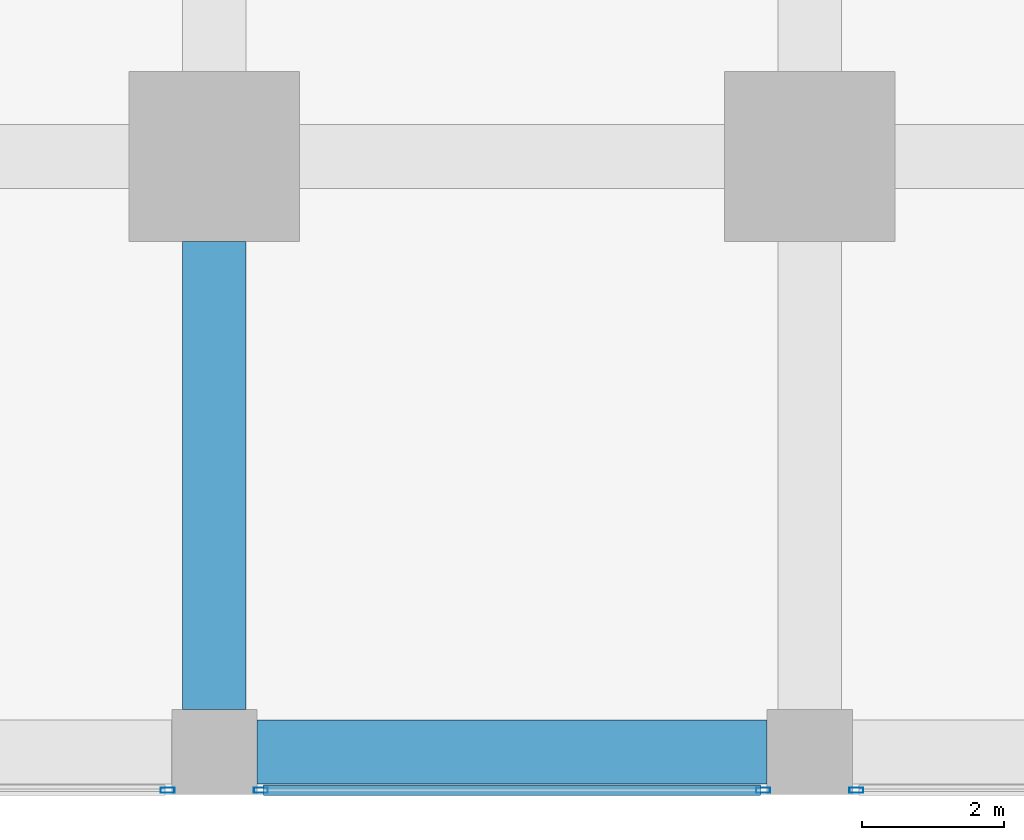
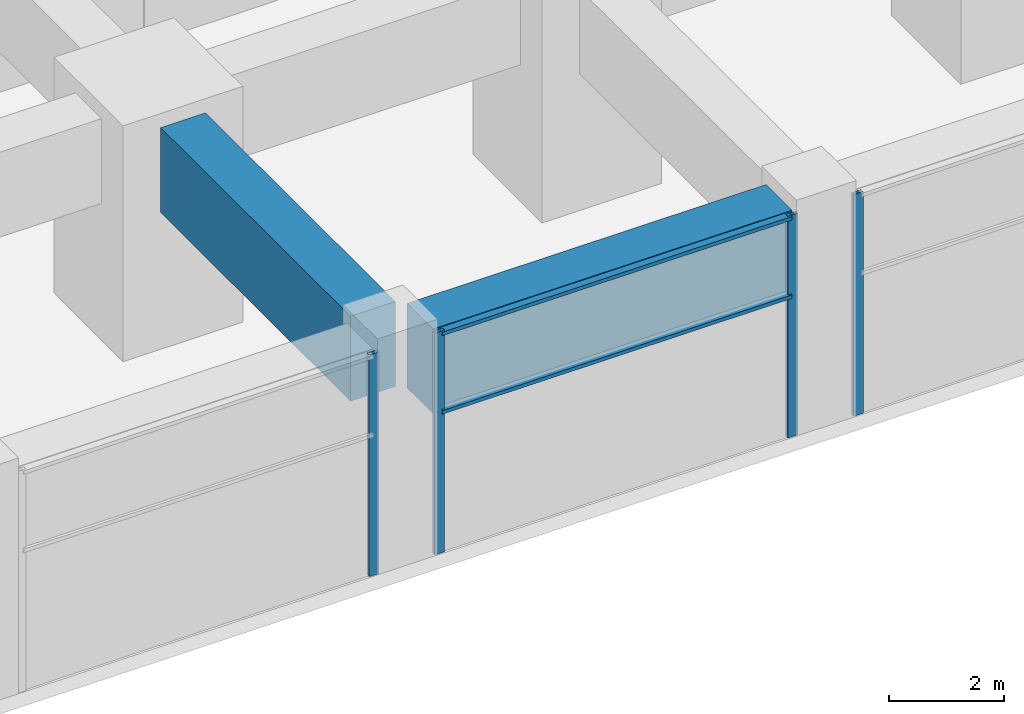
# One storey, part 13 of 49: 6 members, 2 beams, 3 elements without a shape of their own.
"""IFC4 building model written with IfcOpenShell, lengths in metres."""

from ifc_helpers import new_model, si_unit, direction, frame, origin, origin_2d, place, context, subcontext, project, spatial, rectangle, hollow_rectangle, extrude, material, material_profile, profile_set, type_object, element, aggregate, save


model = new_model("IFC4")

# Units and contexts
model_context = context("Model", 3, precision=1e-05, world=origin(), true_north=direction((0.0, 1.0)))
body_context = subcontext(model_context, "Body", "Model", "MODEL_VIEW")
ifc_project = project(units=[si_unit("LENGTHUNIT", "METRE"), si_unit("AREAUNIT", "SQUARE_METRE"), si_unit("VOLUMEUNIT", "CUBIC_METRE"), si_unit("PLANEANGLEUNIT", "RADIAN"), si_unit("MASSUNIT", "GRAM", prefix="KILO")], contexts=[model_context])

# Site, building, storey
site_placement = place(None, origin())
site = spatial("IfcSite", under=ifc_project, at=site_placement, CompositionType="ELEMENT")
building_placement = place(site_placement, origin())
building = spatial("IfcBuilding", under=site, at=building_placement, Name="Rekha Terrace Tower", CompositionType="ELEMENT")
storey_placement = place(building_placement, frame((0.0, 0.0, 5.39990234375)))
storey = spatial("IfcBuildingStorey", under=building, at=storey_placement, Name="L01", CompositionType="ELEMENT", Elevation=5.39990234375)

# Curtain wall, member
ifc_material_1 = material(Name="Aluminium framing", Category="aluminium")
curtain_wall_type = type_object("IfcCurtainWallType", Name="CW4 podium shopfront glazing", PredefinedType="USERDEFINED", material=ifc_material_1)
curtain_wall_1_placement = place(storey_placement, origin())
curtain_wall_1 = element("IfcCurtainWall", 1, at=curtain_wall_1_placement, inside=storey, type_object=curtain_wall_type, Name="CW4 shopfront curtain wall", ObjectType="SHOPFRONT CURTAIN WALL", PredefinedType="USERDEFINED")
ifc_material_2 = material(Name="Aluminium mullion section", Category="aluminium")
ifc_material_profile_1 = material_profile(ifc_material_2, hollow_rectangle(XDim=0.074951171875, YDim=0.199951171875, WallThickness=0.00390625, at=origin_2d()), Name="AL RHS 75x200")
ifc_profile_set_1 = profile_set([ifc_material_profile_1], Name="Aluminium mullion section")
member_type_1 = type_object("IfcMemberType", Name="CW4 mullion RHS 75 x 200", PredefinedType="MULLION", material=ifc_profile_set_1)
member_1_placement = place(storey_placement, frame((32.9423828125, -0.5400390625, 0.0), z_axis=(0.0, 0.0, 1.0), x_axis=(0.0, 1.0, 0.0)))
member_1 = element("IfcMember", 2, at=member_1_placement, type_object=member_type_1, Name="CW4 mullion 2", PredefinedType="MULLION", context=body_context, shape_type="SweptSolid", body=[
    extrude(hollow_rectangle(XDim=0.074951171875, YDim=0.199951171875, WallThickness=0.00390625, at=origin_2d()), origin(), (0.0, 0.0, 1.0), 4.7001953125),
])
aggregate(curtain_wall_1, [member_1])

# Curtain wall, members
curtain_wall_2_placement = place(storey_placement, origin())
curtain_wall_2 = element("IfcCurtainWall", 3, at=curtain_wall_2_placement, inside=storey, type_object=curtain_wall_type, Name="CW4 shopfront curtain wall", ObjectType="SHOPFRONT CURTAIN WALL", PredefinedType="USERDEFINED")
member_2_placement = place(storey_placement, frame((34.257568359375, -0.5400390625, 0.0), z_axis=(0.0, 0.0, 1.0), x_axis=(0.0, 1.0, 0.0)))
member_2 = element("IfcMember", 4, at=member_2_placement, type_object=member_type_1, Name="CW4 mullion 1", PredefinedType="MULLION", context=body_context, shape_type="SweptSolid", body=[
    extrude(hollow_rectangle(XDim=0.074951171875, YDim=0.199951171875, WallThickness=0.00390625, at=origin_2d()), origin(), (0.0, 0.0, 1.0), 4.7001953125),
])
member_3_placement = place(storey_placement, frame((41.342529296875, -0.5400390625, 0.0), z_axis=(0.0, 0.0, 1.0), x_axis=(0.0, 1.0, 0.0)))
member_3 = element("IfcMember", 5, at=member_3_placement, type_object=member_type_1, Name="CW4 mullion 2", PredefinedType="MULLION", context=body_context, shape_type="SweptSolid", body=[
    extrude(hollow_rectangle(XDim=0.074951171875, YDim=0.199951171875, WallThickness=0.00390625, at=origin_2d()), origin(), (0.0, 0.0, 1.0), 4.7001953125),
])

# Curtain wall, member
curtain_wall_3_placement = place(storey_placement, origin())
curtain_wall_3 = element("IfcCurtainWall", 6, at=curtain_wall_3_placement, inside=storey, type_object=curtain_wall_type, Name="CW4 shopfront curtain wall", ObjectType="SHOPFRONT CURTAIN WALL", PredefinedType="USERDEFINED")
member_4_placement = place(storey_placement, frame((42.657470703125, -0.5400390625, 0.0), z_axis=(0.0, 0.0, 1.0), x_axis=(0.0, 1.0, 0.0)))
member_4 = element("IfcMember", 7, at=member_4_placement, type_object=member_type_1, Name="CW4 mullion 1", PredefinedType="MULLION", context=body_context, shape_type="SweptSolid", body=[
    extrude(hollow_rectangle(XDim=0.074951171875, YDim=0.199951171875, WallThickness=0.00390625, at=origin_2d()), origin(), (0.0, 0.0, 1.0), 4.7001953125),
])
aggregate(curtain_wall_3, [member_4])

# Member
ifc_material_3 = material(Name="Aluminium transom section", Category="aluminium")
ifc_material_profile_2 = material_profile(ifc_material_3, hollow_rectangle(XDim=0.14990234375, YDim=0.074951171875, WallThickness=0.0029296875, at=origin_2d()), Name="AL RHS 150x75")
ifc_profile_set_2 = profile_set([ifc_material_profile_2], Name="Aluminium transom section")
member_type_2 = type_object("IfcMemberType", Name="CW4 transom RHS 75 x 150", PredefinedType="USERDEFINED", material=ifc_profile_set_2)
member_5_placement = place(storey_placement, frame((34.294921875, -0.5400390625, 3.0), z_axis=(1.0, 0.0, 0.0), x_axis=(0.0, 1.0, 0.0)))
member_5 = element("IfcMember", 8, at=member_5_placement, type_object=member_type_2, Name="CW4 transom 1.2", ObjectType="TRANSOM", PredefinedType="USERDEFINED", context=body_context, shape_type="SweptSolid", body=[
    extrude(hollow_rectangle(XDim=0.14990234375, YDim=0.074951171875, WallThickness=0.0029296875, at=origin_2d()), origin(), (0.0, 0.0, 1.0), 7.010009765625),
])

member_6_placement = place(storey_placement, frame((34.294921875, -0.5400390625, 4.66259765625), z_axis=(1.0, 0.0, 0.0), x_axis=(0.0, 1.0, 0.0)))
member_6 = element("IfcMember", 9, at=member_6_placement, type_object=member_type_2, Name="CW4 transom 1.3", ObjectType="TRANSOM", PredefinedType="USERDEFINED", context=body_context, shape_type="SweptSolid", body=[
    extrude(hollow_rectangle(XDim=0.14990234375, YDim=0.074951171875, WallThickness=0.0029296875, at=origin_2d()), origin(), (0.0, 0.0, 1.0), 7.010009765625),
])

aggregate(curtain_wall_2, [member_2, member_3, member_5, member_6])

# Beams
ifc_material_4 = material(Name="Concrete M60", Category="concrete")
ifc_material_profile_3 = material_profile(ifc_material_4, rectangle(XDim=0.89990234375, YDim=1.800048828125, at=origin_2d()), Name="RC 900x1800")
ifc_profile_set_3 = profile_set([ifc_material_profile_3], Name="Concrete M60")
beam_type = type_object("IfcBeamType", Name="G1 900x1800 podium floor beam", PredefinedType="BEAM", material=ifc_profile_set_3)
beam_1_placement = place(storey_placement, frame((34.199951171875, 0.0, 3.800048828125), z_axis=(1.0, 0.0, 0.0), x_axis=(0.0, 1.0, 0.0)))
element("IfcBeam", 10, at=beam_1_placement, inside=storey, type_object=beam_type, Name="Beam G1 5A-6A under L02", PredefinedType="BEAM", context=body_context, shape_type="SweptSolid", body=[
    extrude(rectangle(XDim=0.89990234375, YDim=1.800048828125, at=origin_2d()), origin(), (0.0, 0.0, 1.0), 7.199951171875),
])
beam_2_placement = place(storey_placement, frame((33.60009765625, 0.60009765625, 3.800048828125), z_axis=(0.0, 1.0, 0.0), x_axis=(-1.0, 0.0, 0.0)))
element("IfcBeam", 11, at=beam_2_placement, inside=storey, type_object=beam_type, Name="Beam G1 5A-5B under L02", PredefinedType="BEAM", context=body_context, shape_type="SweptSolid", body=[
    extrude(rectangle(XDim=0.89990234375, YDim=1.800048828125, at=origin_2d()), origin(), (0.0, 0.0, 1.0), 6.599853515625),
])

save(model, "model.ifc")
